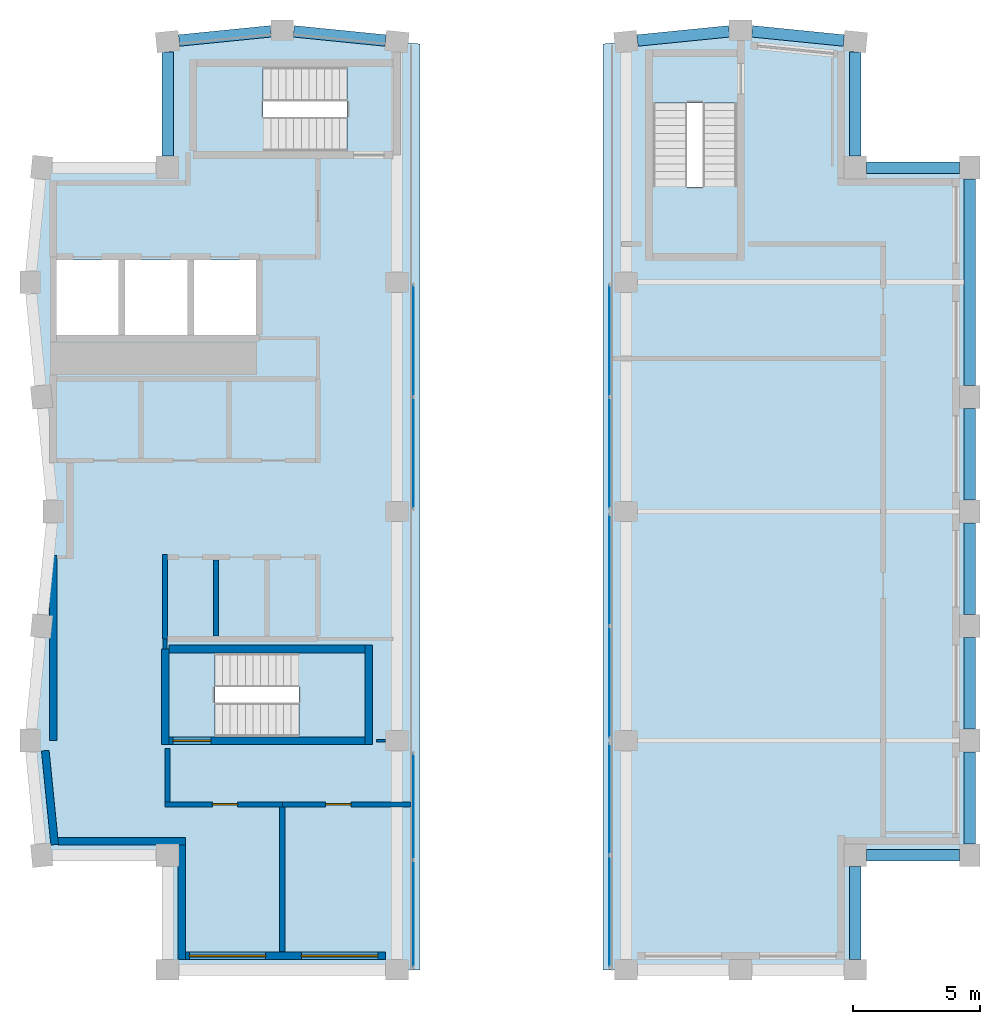
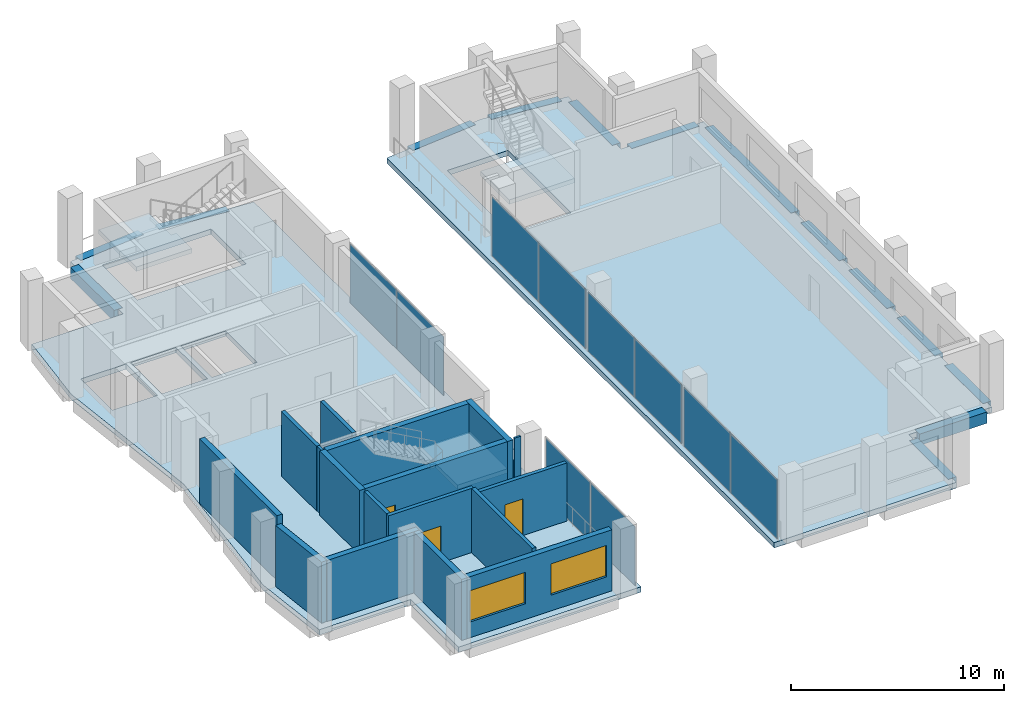
# One storey, part 6 of 9: 17 walls, 14 beams, 10 plates, 5 slabs, 3 doors, 2 windows, 5 openings, 8 elements without a shape of their own.
"""IFC4 building model written with IfcOpenShell, lengths in metres."""

from ifc_helpers import new_model, si_unit, direction, frame, frame_2d, origin, origin_2d, place, context, subcontext, project, spatial, polyline, rectangle, outline, extrude, material, layer, layer_set, material_profile, profile_set, type_object, element, fill, aggregate, save


model = new_model("IFC4")

# Units and contexts
model_context = context("Model", 3, precision=1e-05, world=origin(), true_north=direction((0.0, 1.0)))
body_context = subcontext(model_context, "Body", "Model", "MODEL_VIEW")
ifc_project = project(units=[si_unit("LENGTHUNIT", "METRE"), si_unit("AREAUNIT", "SQUARE_METRE"), si_unit("VOLUMEUNIT", "CUBIC_METRE"), si_unit("PLANEANGLEUNIT", "RADIAN"), si_unit("MASSUNIT", "GRAM", prefix="KILO")], contexts=[model_context])

# Site, building, storey
site_placement = place(None, origin())
site = spatial("IfcSite", under=ifc_project, at=site_placement, CompositionType="ELEMENT")
building_placement = place(site_placement, origin())
building = spatial("IfcBuilding", under=site, at=building_placement, Name="Brondeck Convention Tower", CompositionType="ELEMENT")
storey_placement = place(building_placement, frame((0.0, 0.0, 290.800048828125)))
storey = spatial("IfcBuildingStorey", under=building, at=storey_placement, Name="L72", CompositionType="ELEMENT", Elevation=290.800048828125)

# Beams
ifc_material_1 = material(Name="Concrete C50/60", Category="concrete")
ifc_material_profile = material_profile(ifc_material_1, rectangle(XDim=0.449951171875, YDim=0.64990234375, at=origin_2d()), Name="Precast spandrel 450x650 Concrete C50/60")
ifc_profile_set = profile_set([ifc_material_profile], Name="Concrete C50/60")
beam_type = type_object("IfcBeamType", Name="Precast spandrel 450x650 Concrete C50/60", PredefinedType="SPANDREL", material=ifc_profile_set)
for number, where, z_axis, x_axis, name in (
    (1, (13.05224609375, 63.494873046875, -0.324951171875), (-0.995040528141, 0.099470334057, 0.0), (-0.099470334057, -0.995040528141, 0.0), "STR-SP-L72K1-006"),
    (2, (8.550048828125, 63.85498046875, -0.324951171875), (-0.995040528141, -0.099470334057, 0.0), (0.099470334057, -0.995040528141, 0.0), "STR-SP-L72K1-007"),
):
    element("IfcBeam", number, at=place(storey_placement, frame(where, z_axis=z_axis, x_axis=x_axis)), inside=storey, type_object=beam_type, Name=name, PredefinedType="SPANDREL", context=body_context, shape_type="SweptSolid", body=[
        extrude(rectangle(XDim=0.449951171875, YDim=0.64990234375, at=origin_2d()), origin(), (0.0, 0.0, 1.0), 3.620361328125),
    ])
beam_1_placement = place(storey_placement, frame((4.5, 63.048095703125, -0.324951171875), z_axis=(0.0, -1.0, 0.0), x_axis=(1.0, 0.0, 0.0)))
element("IfcBeam", 3, at=beam_1_placement, inside=storey, type_object=beam_type, Name="STR-SP-L72K1-008", PredefinedType="SPANDREL", context=body_context, shape_type="SweptSolid", body=[
    extrude(rectangle(XDim=0.449951171875, YDim=0.64990234375, at=origin_2d()), origin(), (0.0, 0.0, 1.0), 4.09814453125),
])
for number, where, z_axis, x_axis, name in (
    (4, (31.5, 27.39990234375, -0.324951171875), (0.0, 1.0, 0.0), (-1.0, 0.0, 0.0), "STR-SP-L72K2-003"),
    (5, (31.949951171875, 31.5, -0.324951171875), (1.0, 0.0, 0.0), (0.0, 1.0, 0.0), "STR-SP-L72K2-004"),
):
    element("IfcBeam", number, at=place(storey_placement, frame(where, z_axis=z_axis, x_axis=x_axis)), inside=storey, type_object=beam_type, Name=name, PredefinedType="SPANDREL", context=body_context, shape_type="SweptSolid", body=[
        extrude(rectangle(XDim=0.449951171875, YDim=0.64990234375, at=origin_2d()), origin(), (0.0, 0.0, 1.0), 3.650146484375),
    ])
for number, where, z_axis, x_axis, name in (
    (6, (36.0, 31.949951171875, -0.324951171875), (0.0, 1.0, 0.0), (-1.0, 0.0, 0.0), "STR-SP-L72K2-005"),
    (7, (36.0, 36.449951171875, -0.324951171875), (0.0, 1.0, 0.0), (-1.0, 0.0, 0.0), "STR-SP-L72K2-006"),
    (8, (36.0, 40.949951171875, -0.324951171875), (0.0, 1.0, 0.0), (-1.0, 0.0, 0.0), "STR-SP-L72K2-007"),
    (9, (36.0, 45.449951171875, -0.324951171875), (0.0, 1.0, 0.0), (-1.0, 0.0, 0.0), "STR-SP-L72K2-008"),
):
    element("IfcBeam", number, at=place(storey_placement, frame(where, z_axis=z_axis, x_axis=x_axis)), inside=storey, type_object=beam_type, Name=name, PredefinedType="SPANDREL", context=body_context, shape_type="SweptSolid", body=[
        extrude(rectangle(XDim=0.449951171875, YDim=0.64990234375, at=origin_2d()), origin(), (0.0, 0.0, 1.0), 3.60009765625),
    ])
beam_2_placement = place(storey_placement, frame((36.0, 49.949951171875, -0.324951171875), z_axis=(0.0, 1.0, 0.0), x_axis=(-1.0, 0.0, 0.0)))
element("IfcBeam", 10, at=beam_2_placement, inside=storey, type_object=beam_type, Name="STR-SP-L72K2-009", PredefinedType="SPANDREL", context=body_context, shape_type="SweptSolid", body=[
    extrude(rectangle(XDim=0.449951171875, YDim=0.64990234375, at=origin_2d()), origin(), (0.0, 0.0, 1.0), 8.10009765625),
])
beam_3_placement = place(storey_placement, frame((35.60009765625, 58.5, -0.324951171875), z_axis=(-1.0, 0.0, 0.0), x_axis=(0.0, -1.0, 0.0)))
element("IfcBeam", 11, at=beam_3_placement, inside=storey, type_object=beam_type, Name="STR-SP-L72K2-010", PredefinedType="SPANDREL", context=body_context, shape_type="SweptSolid", body=[
    extrude(rectangle(XDim=0.449951171875, YDim=0.64990234375, at=origin_2d()), origin(), (0.0, 0.0, 1.0), 3.650146484375),
])
beam_4_placement = place(storey_placement, frame((31.5, 58.949951171875, -0.324951171875), z_axis=(0.0, 1.0, 0.0), x_axis=(-1.0, 0.0, 0.0)))
element("IfcBeam", 12, at=beam_4_placement, inside=storey, type_object=beam_type, Name="STR-SP-L72K2-011", PredefinedType="SPANDREL", context=body_context, shape_type="SweptSolid", body=[
    extrude(rectangle(XDim=0.449951171875, YDim=0.64990234375, at=origin_2d()), origin(), (0.0, 0.0, 1.0), 4.09814453125),
])
for number, where, z_axis, x_axis, name in (
    (13, (31.05224609375, 63.494873046875, -0.324951171875), (-0.995040528141, 0.099470334057, 0.0), (-0.099470334057, -0.995040528141, 0.0), "STR-SP-L72K2-012"),
    (14, (26.550048828125, 63.85498046875, -0.324951171875), (-0.995040528141, -0.099470334057, 0.0), (0.099470334057, -0.995040528141, 0.0), "STR-SP-L72K2-013"),
):
    element("IfcBeam", number, at=place(storey_placement, frame(where, z_axis=z_axis, x_axis=x_axis)), inside=storey, type_object=beam_type, Name=name, PredefinedType="SPANDREL", context=body_context, shape_type="SweptSolid", body=[
        extrude(rectangle(XDim=0.449951171875, YDim=0.64990234375, at=origin_2d()), origin(), (0.0, 0.0, 1.0), 3.620361328125),
    ])

# Curtain wall, plates
ifc_material_2 = material(Name="Aluminium, bronze anodised", Category="aluminium")
curtain_wall_type = type_object("IfcCurtainWallType", Name="Crown screen curtain wall", PredefinedType="NOTDEFINED", material=ifc_material_2)
curtain_wall_1_placement = place(storey_placement, origin())
curtain_wall_1 = element("IfcCurtainWall", 15, at=curtain_wall_1_placement, inside=storey, type_object=curtain_wall_type, Name="ENV-CW4-L72-K1-SLOT-W-00-2", PredefinedType="NOTDEFINED")
ifc_material_3 = material(Name="Bronze tinted laminated glass", Category="glass")
ifc_layer_1 = layer(ifc_material_3, 0.007080078125, Name="Outer pane")
ifc_material_4 = material(Name="Argon-filled cavity")
ifc_layer_2 = layer(ifc_material_4, 0.011962890625, Name="Cavity")
ifc_material_5 = material(Name="Clear low-emissivity glass", Category="glass")
ifc_layer_3 = layer(ifc_material_5, 0.007080078125, Name="Inner pane")
ifc_layer_set_1 = layer_set([ifc_layer_1, ifc_layer_2, ifc_layer_3], Name="CW4 glazing panel")
plate_type = type_object("IfcPlateType", Name="CW4 glazing panel", PredefinedType="CURTAIN_PANEL", material=ifc_layer_set_1)
plate_1_placement = place(storey_placement, frame((14.14990234375, 33.41259765625, 0.06005859375), z_axis=(0.0, 0.0, 1.0), x_axis=(0.0, -1.0, 0.0)))
plate_1 = element("IfcPlate", 16, at=plate_1_placement, type_object=plate_type, Name="CW4 panel 1.1", PredefinedType="CURTAIN_PANEL", context=body_context, shape_type="SweptSolid", body=[
    extrude(rectangle(XDim=4.155029296875, YDim=0.02587890625, at=origin_2d()), origin(), (0.0, 0.0, 1.0), 3.3798828125),
])
plate_2_placement = place(storey_placement, frame((14.14990234375, 29.197509765625, 0.06005859375), z_axis=(0.0, 0.0, 1.0), x_axis=(0.0, -1.0, 0.0)))
plate_2 = element("IfcPlate", 17, at=plate_2_placement, type_object=plate_type, Name="CW4 panel 2.1", PredefinedType="CURTAIN_PANEL", context=body_context, shape_type="SweptSolid", body=[
    extrude(rectangle(XDim=4.155029296875, YDim=0.02587890625, at=origin_2d()), origin(), (0.0, 0.0, 1.0), 3.3798828125),
])
aggregate(curtain_wall_1, [plate_1, plate_2])

curtain_wall_2_placement = place(storey_placement, origin())
curtain_wall_2 = element("IfcCurtainWall", 18, at=curtain_wall_2_placement, inside=storey, type_object=curtain_wall_type, Name="ENV-CW4-L72-K1-SLOT-W-05", PredefinedType="NOTDEFINED")
plate_3_placement = place(storey_placement, frame((14.14990234375, 51.705078125, 0.06005859375), z_axis=(0.0, 0.0, 1.0), x_axis=(0.0, -1.0, 0.0)))
plate_3 = element("IfcPlate", 19, at=plate_3_placement, type_object=plate_type, Name="CW4 panel 1.1", PredefinedType="CURTAIN_PANEL", context=body_context, shape_type="SweptSolid", body=[
    extrude(rectangle(XDim=4.35009765625, YDim=0.02587890625, at=origin_2d()), origin(), (0.0, 0.0, 1.0), 3.3798828125),
])
plate_4_placement = place(storey_placement, frame((14.14990234375, 47.294921875, 0.06005859375), z_axis=(0.0, 0.0, 1.0), x_axis=(0.0, -1.0, 0.0)))
plate_4 = element("IfcPlate", 20, at=plate_4_placement, type_object=plate_type, Name="CW4 panel 2.1", PredefinedType="CURTAIN_PANEL", context=body_context, shape_type="SweptSolid", body=[
    extrude(rectangle(XDim=4.35009765625, YDim=0.02587890625, at=origin_2d()), origin(), (0.0, 0.0, 1.0), 3.3798828125),
])
aggregate(curtain_wall_2, [plate_3, plate_4])

curtain_wall_3_placement = place(storey_placement, origin())
curtain_wall_3 = element("IfcCurtainWall", 21, at=curtain_wall_3_placement, inside=storey, type_object=curtain_wall_type, Name="ENV-CW4-L72-K2-SLOT-E-03", PredefinedType="NOTDEFINED")
plate_5_placement = place(storey_placement, frame((21.85009765625, 47.294921875, 0.06005859375), z_axis=(0.0, 0.0, 1.0), x_axis=(0.0, 1.0, 0.0)))
plate_5 = element("IfcPlate", 22, at=plate_5_placement, type_object=plate_type, Name="CW4 panel 1.1", PredefinedType="CURTAIN_PANEL", context=body_context, shape_type="SweptSolid", body=[
    extrude(rectangle(XDim=4.35009765625, YDim=0.02587890625, at=origin_2d()), origin(), (0.0, 0.0, 1.0), 3.3798828125),
])
plate_6_placement = place(storey_placement, frame((21.85009765625, 51.705078125, 0.06005859375), z_axis=(0.0, 0.0, 1.0), x_axis=(0.0, 1.0, 0.0)))
plate_6 = element("IfcPlate", 23, at=plate_6_placement, type_object=plate_type, Name="CW4 panel 2.1", PredefinedType="CURTAIN_PANEL", context=body_context, shape_type="SweptSolid", body=[
    extrude(rectangle(XDim=4.35009765625, YDim=0.02587890625, at=origin_2d()), origin(), (0.0, 0.0, 1.0), 3.3798828125),
])
aggregate(curtain_wall_3, [plate_5, plate_6])

curtain_wall_4_placement = place(storey_placement, origin())
curtain_wall_4 = element("IfcCurtainWall", 24, at=curtain_wall_4_placement, inside=storey, type_object=curtain_wall_type, Name="ENV-CW4-L72-K2-SLOT-E-05", PredefinedType="NOTDEFINED")
plate_7_placement = place(storey_placement, frame((21.85009765625, 38.294921875, 0.06005859375), z_axis=(0.0, 0.0, 1.0), x_axis=(0.0, 1.0, 0.0)))
plate_7 = element("IfcPlate", 25, at=plate_7_placement, type_object=plate_type, Name="CW4 panel 1.1", PredefinedType="CURTAIN_PANEL", context=body_context, shape_type="SweptSolid", body=[
    extrude(rectangle(XDim=4.35009765625, YDim=0.02587890625, at=origin_2d()), origin(), (0.0, 0.0, 1.0), 3.3798828125),
])
plate_8_placement = place(storey_placement, frame((21.85009765625, 42.705078125, 0.06005859375), z_axis=(0.0, 0.0, 1.0), x_axis=(0.0, 1.0, 0.0)))
plate_8 = element("IfcPlate", 26, at=plate_8_placement, type_object=plate_type, Name="CW4 panel 2.1", PredefinedType="CURTAIN_PANEL", context=body_context, shape_type="SweptSolid", body=[
    extrude(rectangle(XDim=4.35009765625, YDim=0.02587890625, at=origin_2d()), origin(), (0.0, 0.0, 1.0), 3.3798828125),
])
aggregate(curtain_wall_4, [plate_7, plate_8])

curtain_wall_5_placement = place(storey_placement, origin())
curtain_wall_5 = element("IfcCurtainWall", 27, at=curtain_wall_5_placement, inside=storey, type_object=curtain_wall_type, Name="ENV-CW4-L72-K2-SLOT-E-07-1", PredefinedType="NOTDEFINED")
plate_9_placement = place(storey_placement, frame((21.85009765625, 29.294921875, 0.06005859375), z_axis=(0.0, 0.0, 1.0), x_axis=(0.0, 1.0, 0.0)))
plate_9 = element("IfcPlate", 28, at=plate_9_placement, type_object=plate_type, Name="CW4 panel 1.1", PredefinedType="CURTAIN_PANEL", context=body_context, shape_type="SweptSolid", body=[
    extrude(rectangle(XDim=4.35009765625, YDim=0.02587890625, at=origin_2d()), origin(), (0.0, 0.0, 1.0), 3.3798828125),
])
plate_10_placement = place(storey_placement, frame((21.85009765625, 33.705078125, 0.06005859375), z_axis=(0.0, 0.0, 1.0), x_axis=(0.0, 1.0, 0.0)))
plate_10 = element("IfcPlate", 29, at=plate_10_placement, type_object=plate_type, Name="CW4 panel 2.1", PredefinedType="CURTAIN_PANEL", context=body_context, shape_type="SweptSolid", body=[
    extrude(rectangle(XDim=4.35009765625, YDim=0.02587890625, at=origin_2d()), origin(), (0.0, 0.0, 1.0), 3.3798828125),
])
aggregate(curtain_wall_5, [plate_9, plate_10])

# Slabs
ifc_material_6 = material(Name="Concrete C35/45", Category="concrete")
ifc_layer_4 = layer(ifc_material_6, 0.300048828125)
ifc_layer_set_2 = layer_set([ifc_layer_4], Name="Composite floor slab 300")
slab_type_1 = type_object("IfcSlabType", Name="Composite floor slab 300", PredefinedType="FLOOR", material=ifc_layer_set_2)
slab_1_placement = place(storey_placement, frame((0.0, 0.0, -0.300048828125)))
element("IfcSlab", 30, at=slab_1_placement, inside=storey, type_object=slab_type_1, Name="STR-SL-L72-P1", PredefinedType="FLOOR", context=body_context, shape_type="SweptSolid", body=[
    extrude(outline(polyline([(4.5, 31.5), (-0.449951171875, 31.5), (-0.89990234375, 36.0), (0.0, 45.0), (-0.89990234375, 54.0), (-0.449951171875, 58.5), (4.5, 58.5), (4.5, 63.449951171875), (9.0, 63.89990234375), (14.39990234375, 63.360107421875), (14.39990234375, 63.0), (14.39990234375, 27.0), (4.5, 27.0), (4.5, 31.5)]), holes=[polyline([(6.35205078125, 39.447998046875), (6.35205078125, 36.152099609375), (12.248046875, 36.152099609375), (12.248046875, 39.447998046875), (6.35205078125, 39.447998046875)]), polyline([(2.574951171875, 54.875), (0.125, 54.875), (0.125, 51.925048828125), (2.574951171875, 51.925048828125), (2.574951171875, 54.875)]), polyline([(5.27490234375, 54.875), (2.824951171875, 54.875), (2.824951171875, 51.925048828125), (5.27490234375, 51.925048828125), (5.27490234375, 54.875)]), polyline([(5.52490234375, 54.875), (5.52490234375, 51.925048828125), (7.97509765625, 51.925048828125), (7.97509765625, 54.875), (5.52490234375, 54.875)]), polyline([(5.652099609375, 59.152099609375), (11.548095703125, 59.152099609375), (11.548095703125, 62.447998046875), (5.652099609375, 62.447998046875), (5.652099609375, 59.152099609375)])]), origin(), (0.0, 0.0, 1.0), 0.300048828125),
])
slab_2_placement = place(storey_placement, frame((0.0, 0.0, -0.300048828125)))
element("IfcSlab", 31, at=slab_2_placement, inside=storey, type_object=slab_type_1, Name="STR-SL-L72-P2", PredefinedType="FLOOR", context=body_context, shape_type="SweptSolid", body=[
    extrude(outline(polyline([(21.60009765625, 63.0), (21.60009765625, 63.360107421875), (27.0, 63.89990234375), (31.5, 63.449951171875), (31.5, 58.5), (36.0, 58.5), (36.0, 31.5), (31.5, 31.5), (31.5, 27.0), (21.60009765625, 27.0), (21.60009765625, 63.0)]), holes=[polyline([(26.847900390625, 55.152099609375), (26.847900390625, 61.048095703125), (23.552001953125, 61.048095703125), (23.552001953125, 55.152099609375), (26.847900390625, 55.152099609375)])]), origin(), (0.0, 0.0, 1.0), 0.300048828125),
])

# Stair, slab
ifc_material_7 = material(Name="Precast concrete C50/60", Category="concrete")
stair_type = type_object("IfcStairType", Name="Core stair 24 risers 166.67 mm riser 300 mm going 1350 wide", PredefinedType="HALF_TURN_STAIR", material=ifc_material_7)
stair_1_placement = place(storey_placement, origin())
stair_1 = element("IfcStair", 32, at=stair_1_placement, inside=storey, type_object=stair_type, Name="ST-1 L72 stair", PredefinedType="HALF_TURN_STAIR")
ifc_layer_5 = layer(ifc_material_7, 0.25)
ifc_layer_set_3 = layer_set([ifc_layer_5], Name="Core stair landing 250 Precast concrete C50/60")
slab_type_2 = type_object("IfcSlabType", Name="Core stair landing 250 Precast concrete C50/60", PredefinedType="LANDING", material=ifc_layer_set_3)
slab_3_placement = place(storey_placement, frame((0.0, 0.0, 1.75)))
slab_3 = element("IfcSlab", 33, at=slab_3_placement, type_object=slab_type_2, Name="ST-1 landing 1", PredefinedType="LANDING", context=body_context, shape_type="SweptSolid", body=[
    extrude(outline(polyline([(9.64794921875, 37.5), (9.64990234375, 37.5), (9.64990234375, 38.10009765625), (9.35009765625, 38.10009765625), (9.35009765625, 39.570068359375), (12.3701171875, 39.570068359375), (12.3701171875, 36.030029296875), (9.64794921875, 36.030029296875), (9.64794921875, 37.5)])), origin(), (0.0, 0.0, 1.0), 0.25),
])
aggregate(stair_1, [slab_3])

stair_2_placement = place(storey_placement, origin())
stair_2 = element("IfcStair", 34, at=stair_2_placement, inside=storey, type_object=stair_type, Name="ST-2 L72 stair", PredefinedType="HALF_TURN_STAIR")
slab_4_placement = place(storey_placement, frame((0.0, 0.0, 1.75)))
slab_4 = element("IfcSlab", 35, at=slab_4_placement, type_object=slab_type_2, Name="ST-2 landing 1", PredefinedType="LANDING", context=body_context, shape_type="SweptSolid", body=[
    extrude(outline(polyline([(23.429931640625, 57.751953125), (24.89990234375, 57.751953125), (24.89990234375, 57.75), (25.5, 57.75), (25.5, 58.050048828125), (26.969970703125, 58.050048828125), (26.969970703125, 55.030029296875), (23.429931640625, 55.030029296875), (23.429931640625, 57.751953125)])), origin(), (0.0, 0.0, 1.0), 0.25),
])
aggregate(stair_2, [slab_4])

stair_3_placement = place(storey_placement, origin())
stair_3 = element("IfcStair", 36, at=stair_3_placement, inside=storey, type_object=stair_type, Name="ST-3 L72 stair", PredefinedType="HALF_TURN_STAIR")
slab_5_placement = place(storey_placement, frame((0.0, 0.0, 1.75)))
slab_5 = element("IfcSlab", 37, at=slab_5_placement, type_object=slab_type_2, Name="ST-3 landing 1", PredefinedType="LANDING", context=body_context, shape_type="SweptSolid", body=[
    extrude(outline(polyline([(8.550048828125, 60.5), (8.550048828125, 59.030029296875), (5.530029296875, 59.030029296875), (5.530029296875, 62.570068359375), (8.251953125, 62.570068359375), (8.251953125, 61.10009765625), (8.25, 61.10009765625), (8.25, 60.5), (8.550048828125, 60.5)])), origin(), (0.0, 0.0, 1.0), 0.25),
])
aggregate(stair_3, [slab_5])

# Walls
ifc_layer_6 = layer(ifc_material_1, 0.300048828125)
ifc_layer_set_4 = layer_set([ifc_layer_6], Name="Core outer wall 300 Concrete C50/60")
wall_type_1 = type_object("IfcWallType", Name="Core outer wall 300 Concrete C50/60", PredefinedType="SHEAR", material=ifc_layer_set_4)
wall_1_placement = place(storey_placement, frame((0.0, 36.0, 0.0), z_axis=(0.0, 0.0, 1.0), x_axis=(0.0, 1.0, 0.0)))
element("IfcWall", 38, at=wall_1_placement, inside=storey, type_object=wall_type_1, Name="L72 core wall", PredefinedType="SHEAR", context=body_context, shape_type="SweptSolid", body=[
    extrude(rectangle(XDim=7.27490234375, YDim=0.300048828125, at=frame_2d((3.637451171875, 0.0))), origin(), (0.0, 0.0, 1.0), 3.699951171875),
])
ifc_material_8 = material(Name="Fire-rated gypsum board partition")
ifc_layer_7 = layer(ifc_material_8, 0.14990234375)
ifc_layer_set_5 = layer_set([ifc_layer_7], Name="Core partition 150 EI 60")
wall_type_2 = type_object("IfcWallType", Name="Core partition 150 EI 60", PredefinedType="PARTITIONING", material=ifc_layer_set_5)
wall_2_placement = place(storey_placement, frame((4.39990234375, 39.60009765625, 0.0), z_axis=(0.0, 0.0, 1.0), x_axis=(0.0, 1.0, 0.0)))
element("IfcWall", 39, at=wall_2_placement, inside=storey, type_object=wall_type_2, Name="L72 core wall", PredefinedType="PARTITIONING", context=body_context, shape_type="SweptSolid", body=[
    extrude(rectangle(XDim=0.39990234375, YDim=0.14990234375, at=frame_2d((0.199951171875, 0.0))), origin(), (0.0, 0.0, 1.0), 3.699951171875),
])

# Wall, openings, windows
ifc_material_9 = material(Name="Precast concrete C50/60 bronze finish", Category="concrete")
ifc_layer_8 = layer(ifc_material_9, 0.070068359375, Name="Bronze precast facing")
ifc_material_10 = material(Name="Mineral wool")
ifc_layer_9 = layer(ifc_material_10, 0.159912109375, Name="Insulation")
ifc_layer_10 = layer(ifc_material_6, 0.070068359375, Name="Backing")
ifc_layer_set_6 = layer_set([ifc_layer_8, ifc_layer_9, ifc_layer_10], Name="External infill wall, precast concrete C50/60 bronze facing")
wall_type_3 = type_object("IfcWallType", Name="External infill wall, precast concrete C50/60 bronze facing", PredefinedType="SOLIDWALL", material=ifc_layer_set_6)
wall_3_placement = place(storey_placement, frame((13.050048828125, 27.550048828125, 0.0), z_axis=(0.0, 0.0, 1.0), x_axis=(-1.0, 0.0, 0.0)))
wall_3 = element("IfcWall", 40, at=wall_3_placement, inside=storey, type_object=wall_type_3, Name="ENV-EW-L72-K1-K-S-01", PredefinedType="SOLIDWALL", context=body_context, shape_type="SweptSolid", body=[
    extrude(rectangle(XDim=7.85009765625, YDim=0.300048828125, at=frame_2d((3.925048828125, 0.0))), origin(), (0.0, 0.0, 1.0), 3.5),
])
opening_1_placement = place(wall_3_placement, frame((0.300048828125, 0.0, 0.89990234375)))
opening_1 = element("IfcOpeningElement", 41, at=opening_1_placement, cuts=wall_3, Name="Opening W8", PredefinedType="OPENING", context=body_context, shape_type="SweptSolid", body=[
    extrude(rectangle(XDim=3.0, YDim=1.800048828125, at=frame_2d((1.5, 0.89990234375))), frame((0.0, 0.159912109375, 0.0), z_axis=(0.0, -1.0, 0.0), x_axis=(1.0, 0.0, 0.0)), (0.0, 0.0, 1.0), 0.320068359375),
])
opening_2_placement = place(wall_3_placement, frame((4.699951171875, 0.0, 0.89990234375)))
opening_2 = element("IfcOpeningElement", 42, at=opening_2_placement, cuts=wall_3, Name="Opening W8", PredefinedType="OPENING", context=body_context, shape_type="SweptSolid", body=[
    extrude(rectangle(XDim=3.0, YDim=1.800048828125, at=frame_2d((1.5, 0.89990234375))), frame((0.0, 0.159912109375, 0.0), z_axis=(0.0, -1.0, 0.0), x_axis=(1.0, 0.0, 0.0)), (0.0, 0.0, 1.0), 0.320068359375),
])
ifc_material_11 = material(Name="Bronze tinted double glazing", Category="glass")
window_type = type_object("IfcWindowType", Name="Crown plant storey window, bronze tinted", PartitioningType="SINGLE_PANEL", PredefinedType="WINDOW", material=ifc_material_11)
window_1_placement = place(opening_1_placement, origin())
window_1 = element("IfcWindow", 43, at=window_1_placement, inside=storey, type_object=window_type, Name="ENV-WN-L72-K1-K-S-02", OverallHeight=1.800048828125, OverallWidth=3.0, PartitioningType="SINGLE_PANEL", PredefinedType="WINDOW", context=body_context, shape_type="SweptSolid", body=[
    extrude(rectangle(XDim=3.0, YDim=1.800048828125, at=frame_2d((1.5, 0.89990234375))), frame((0.0, 0.030029296875, 0.0), z_axis=(0.0, -1.0, 0.0), x_axis=(1.0, 0.0, 0.0)), (0.0, 0.0, 1.0), 0.06005859375),
])
fill(opening_1, window_1)
window_2_placement = place(opening_2_placement, origin())
window_2 = element("IfcWindow", 44, at=window_2_placement, inside=storey, type_object=window_type, Name="ENV-WN-L72-K1-K-S-01", OverallHeight=1.800048828125, OverallWidth=3.0, PartitioningType="SINGLE_PANEL", PredefinedType="WINDOW", context=body_context, shape_type="SweptSolid", body=[
    extrude(rectangle(XDim=3.0, YDim=1.800048828125, at=frame_2d((1.5, 0.89990234375))), frame((0.0, 0.030029296875, 0.0), z_axis=(0.0, -1.0, 0.0), x_axis=(1.0, 0.0, 0.0)), (0.0, 0.0, 1.0), 0.06005859375),
])
fill(opening_2, window_2)

# Walls
wall_4_placement = place(storey_placement, frame((0.061279296875, 31.914794921875, 0.0), z_axis=(0.0, 0.0, 1.0), x_axis=(-0.099549320092, 0.995032629048, 0.0)))
element("IfcWall", 45, at=wall_4_placement, inside=storey, type_object=wall_type_3, Name="ENV-EW-L72-K1-B-W-06", PredefinedType="SOLIDWALL", context=body_context, shape_type="SweptSolid", body=[
    extrude(rectangle(XDim=3.71044921875, YDim=0.300048828125, at=frame_2d((1.855224609375, 0.0))), origin(), (0.0, 0.0, 1.0), 3.5),
])
wall_5_placement = place(storey_placement, frame((5.199951171875, 32.050048828125, 0.0), z_axis=(0.0, 0.0, 1.0), x_axis=(-1.0, 0.0, 0.0)))
element("IfcWall", 46, at=wall_5_placement, inside=storey, type_object=wall_type_3, Name="ENV-EW-L72-K1-NC-KSW-01", PredefinedType="SOLIDWALL", context=body_context, shape_type="SweptSolid", body=[
    extrude(rectangle(XDim=5.000244140625, YDim=0.300048828125, at=frame_2d((2.5, 0.0))), origin(), (0.0, 0.0, 1.0), 3.5),
])
wall_6_placement = place(storey_placement, frame((5.050048828125, 27.39990234375, 0.0), z_axis=(0.0, 0.0, 1.0), x_axis=(0.0, 1.0, 0.0)))
element("IfcWall", 47, at=wall_6_placement, inside=storey, type_object=wall_type_3, Name="ENV-EW-L72-K1-NC-KSW-02", PredefinedType="SOLIDWALL", context=body_context, shape_type="SweptSolid", body=[
    extrude(rectangle(XDim=4.502197265625, YDim=0.300048828125, at=frame_2d((2.2509765625, 0.0))), origin(), (0.0, 0.0, 1.0), 3.5),
])
ifc_material_12 = material(Name="Concrete block wall C16/20", Category="concrete")
ifc_layer_11 = layer(ifc_material_12, 0.199951171875)
ifc_layer_set_7 = layer_set([ifc_layer_11], Name="Plant room wall 200")
wall_type_4 = type_object("IfcWallType", Name="Plant room wall 200", PredefinedType="PARTITIONING", material=ifc_layer_set_7)
wall_7_placement = place(storey_placement, frame((9.0, 33.39990234375, 0.0), z_axis=(0.0, 0.0, 1.0), x_axis=(0.0, -1.0, 0.0)))
element("IfcWall", 48, at=wall_7_placement, inside=storey, type_object=wall_type_4, Name="FLR-L72-W003", PredefinedType="PARTITIONING", context=body_context, shape_type="SweptSolid", body=[
    extrude(rectangle(XDim=5.679931640625, YDim=0.199951171875, at=frame_2d((2.83984375, 0.0))), origin(), (0.0, 0.0, 1.0), 3.679931640625),
])

# Wall, opening, door
wall_8_placement = place(storey_placement, frame((9.0, 33.5, 0.0), z_axis=(0.0, 0.0, 1.0), x_axis=(-1.0, 0.0, 0.0)))
wall_8 = element("IfcWall", 49, at=wall_8_placement, inside=storey, type_object=wall_type_4, Name="FLR-L72-W004", PredefinedType="PARTITIONING", context=body_context, shape_type="SweptSolid", body=[
    extrude(rectangle(XDim=4.60009765625, YDim=0.199951171875, at=frame_2d((2.300048828125, 0.0))), origin(), (0.0, 0.0, 1.0), 3.679931640625),
])
opening_3_placement = place(wall_8_placement, frame((1.75, 0.0, 0.0)))
opening_3 = element("IfcOpeningElement", 50, at=opening_3_placement, cuts=wall_8, Name="Opening CR-B-001", PredefinedType="OPENING", context=body_context, shape_type="SweptSolid", body=[
    extrude(rectangle(XDim=1.0, YDim=2.10009765625, at=frame_2d((0.5, 1.050048828125))), frame((0.0, 0.10986328125, 0.0), z_axis=(0.0, -1.0, 0.0), x_axis=(1.0, 0.0, 0.0)), (0.0, 0.0, 1.0), 0.219970703125),
])
ifc_material_13 = material(Name="Steel fire door leaf", Category="steel")
door_type_1 = type_object("IfcDoorType", Name="Plant room door 1000", OperationType="NOTDEFINED", PredefinedType="DOOR", material=ifc_material_13)
door_1_placement = place(opening_3_placement, origin())
door_1 = element("IfcDoor", 51, at=door_1_placement, inside=storey, type_object=door_type_1, Name="Door CR-B-001", OperationType="SINGLE_SWING_RIGHT", OverallHeight=2.10009765625, OverallWidth=1.0, PredefinedType="DOOR", context=body_context, shape_type="SweptSolid", body=[
    extrude(rectangle(XDim=1.0, YDim=2.10009765625, at=frame_2d((0.5, 1.050048828125))), frame((0.0, 0.02490234375, 0.0), z_axis=(0.0, -1.0, 0.0), x_axis=(1.0, 0.0, 0.0)), (0.0, 0.0, 1.0), 0.050048828125),
])
fill(opening_3, door_1)

wall_9_placement = place(storey_placement, frame((14.06005859375, 33.5, 0.0), z_axis=(0.0, 0.0, 1.0), x_axis=(-1.0, 0.0, 0.0)))
wall_9 = element("IfcWall", 52, at=wall_9_placement, inside=storey, type_object=wall_type_4, Name="FLR-L72-W005", PredefinedType="PARTITIONING", context=body_context, shape_type="SweptSolid", body=[
    extrude(rectangle(XDim=5.06005859375, YDim=0.199951171875, at=frame_2d((2.530029296875, 0.0))), origin(), (0.0, 0.0, 1.0), 3.329833984375),
])
opening_4_placement = place(wall_9_placement, frame((2.360107421875, 0.0, 0.0)))
opening_4 = element("IfcOpeningElement", 53, at=opening_4_placement, cuts=wall_9, Name="Opening CR-B-002", PredefinedType="OPENING", context=body_context, shape_type="SweptSolid", body=[
    extrude(rectangle(XDim=1.0, YDim=2.10009765625, at=frame_2d((0.5, 1.050048828125))), frame((0.0, 0.10986328125, 0.0), z_axis=(0.0, -1.0, 0.0), x_axis=(1.0, 0.0, 0.0)), (0.0, 0.0, 1.0), 0.219970703125),
])
door_2_placement = place(opening_4_placement, origin())
door_2 = element("IfcDoor", 54, at=door_2_placement, inside=storey, type_object=door_type_1, Name="Door CR-B-002", OperationType="SINGLE_SWING_LEFT", OverallHeight=2.10009765625, OverallWidth=1.0, PredefinedType="DOOR", context=body_context, shape_type="SweptSolid", body=[
    extrude(rectangle(XDim=1.0, YDim=2.10009765625, at=frame_2d((0.5, 1.050048828125))), frame((0.0, 0.02490234375, 0.0), z_axis=(0.0, -1.0, 0.0), x_axis=(1.0, 0.0, 0.0)), (0.0, 0.0, 1.0), 0.050048828125),
])
fill(opening_4, door_2)

# Walls
wall_10_placement = place(storey_placement, frame((4.5, 33.60009765625, 0.0), z_axis=(0.0, 0.0, 1.0), x_axis=(0.0, 1.0, 0.0)))
element("IfcWall", 55, at=wall_10_placement, inside=storey, type_object=wall_type_4, Name="FLR-L72-W006", PredefinedType="PARTITIONING", context=body_context, shape_type="SweptSolid", body=[
    extrude(rectangle(XDim=2.099853515625, YDim=0.199951171875, at=frame_2d((1.0498046875, 0.0))), origin(), (0.0, 0.0, 1.0), 3.679931640625),
])
ifc_layer_12 = layer(ifc_material_8, 0.199951171875)
ifc_layer_set_8 = layer_set([ifc_layer_12], Name="Plant room wall 200 EI 120")
wall_type_5 = type_object("IfcWallType", Name="Plant room wall 200 EI 120", PredefinedType="PARTITIONING", material=ifc_layer_set_8)
wall_11_placement = place(storey_placement, frame((4.39990234375, 40.0, 0.0), z_axis=(0.0, 0.0, 1.0), x_axis=(0.0, 1.0, 0.0)))
element("IfcWall", 56, at=wall_11_placement, inside=storey, type_object=wall_type_5, Name="L72 core wall", PredefinedType="PARTITIONING", context=body_context, shape_type="SweptSolid", body=[
    extrude(rectangle(XDim=3.300048828125, YDim=0.199951171875, at=frame_2d((1.64990234375, 0.0))), origin(), (0.0, 0.0, 1.0), 3.699951171875),
])
wall_12_placement = place(storey_placement, frame((6.39990234375, 40.10009765625, 0.0), z_axis=(0.0, 0.0, 1.0), x_axis=(0.0, 1.0, 0.0)))
element("IfcWall", 57, at=wall_12_placement, inside=storey, type_object=wall_type_5, Name="L72 core wall", PredefinedType="PARTITIONING", context=body_context, shape_type="SweptSolid", body=[
    extrude(rectangle(XDim=3.0, YDim=0.199951171875, at=frame_2d((1.5, 0.0))), origin(), (0.0, 0.0, 1.0), 3.699951171875),
])
ifc_material_14 = material(Name="Gypsum board partition on steel studs", Category="steel")
ifc_layer_13 = layer(ifc_material_14, 0.10009765625)
ifc_layer_set_9 = layer_set([ifc_layer_13], Name="Room partition 100")
wall_type_6 = type_object("IfcWallType", Name="Room partition 100", PredefinedType="PARTITIONING", material=ifc_layer_set_9)
wall_13_placement = place(storey_placement, frame((12.699951171875, 36.0, 0.0), z_axis=(0.0, 0.0, 1.0), x_axis=(1.0, 0.0, 0.0)))
element("IfcWall", 58, at=wall_13_placement, inside=storey, type_object=wall_type_6, Name="FLR-L72-W007", PredefinedType="PARTITIONING", context=body_context, shape_type="SweptSolid", body=[
    extrude(rectangle(XDim=0.344970703125, YDim=0.10009765625, at=frame_2d((0.17236328125, 0.0))), origin(), (0.0, 0.0, 1.0), 3.679931640625),
])

# Wall, opening, door
ifc_layer_14 = layer(ifc_material_1, 0.300048828125)
ifc_layer_set_10 = layer_set([ifc_layer_14], Name="Stair enclosure wall 300 Concrete C50/60")
wall_type_7 = type_object("IfcWallType", Name="Stair enclosure wall 300 Concrete C50/60", PredefinedType="SHEAR", material=ifc_layer_set_10)
wall_14_placement = place(storey_placement, frame((4.550048828125, 36.0, 0.0), z_axis=(0.0, 0.0, 1.0), x_axis=(1.0, 0.0, 0.0)))
wall_14 = element("IfcWall", 59, at=wall_14_placement, inside=storey, type_object=wall_type_7, Name="L72 core wall", PredefinedType="SHEAR", context=body_context, shape_type="SweptSolid", body=[
    extrude(rectangle(XDim=7.699951171875, YDim=0.300048828125, at=frame_2d((3.85009765625, 0.0))), origin(), (0.0, 0.0, 1.0), 3.699951171875),
])
opening_5_placement = place(wall_14_placement, frame((0.14990234375, 0.0, 0.0)))
opening_5 = element("IfcOpeningElement", 60, at=opening_5_placement, cuts=wall_14, Name="Opening C42-08", PredefinedType="OPENING", context=body_context, shape_type="SweptSolid", body=[
    extrude(rectangle(XDim=1.5, YDim=2.199951171875, at=frame_2d((0.75, 1.10009765625))), frame((0.0, 0.159912109375, 0.0), z_axis=(0.0, -1.0, 0.0), x_axis=(1.0, 0.0, 0.0)), (0.0, 0.0, 1.0), 0.320068359375),
])
ifc_material_15 = material(Name="Steel fire door", Category="steel")
door_type_2 = type_object("IfcDoorType", Name="Stair door 1500x2200 EI 90", OperationType="NOTDEFINED", PredefinedType="DOOR", material=ifc_material_15)
door_3_placement = place(opening_5_placement, origin())
door_3 = element("IfcDoor", 61, at=door_3_placement, inside=storey, type_object=door_type_2, Name="L72 Stair door ST-1", OperationType="SINGLE_SWING_RIGHT", OverallHeight=2.199951171875, OverallWidth=1.5, PredefinedType="DOOR", context=body_context, shape_type="SweptSolid", body=[
    extrude(rectangle(XDim=1.5, YDim=2.199951171875, at=frame_2d((0.75, 1.10009765625))), frame((0.0, 0.02490234375, 0.0), z_axis=(0.0, -1.0, 0.0), x_axis=(1.0, 0.0, 0.0)), (0.0, 0.0, 1.0), 0.050048828125),
])
fill(opening_5, door_3)

# Walls
wall_15_placement = place(storey_placement, frame((4.550048828125, 39.60009765625, 0.0), z_axis=(0.0, 0.0, 1.0), x_axis=(1.0, 0.0, 0.0)))
element("IfcWall", 62, at=wall_15_placement, inside=storey, type_object=wall_type_7, Name="L72 core wall", PredefinedType="SHEAR", context=body_context, shape_type="SweptSolid", body=[
    extrude(rectangle(XDim=7.699951171875, YDim=0.300048828125, at=frame_2d((3.85009765625, 0.0))), origin(), (0.0, 0.0, 1.0), 3.699951171875),
])
wall_16_placement = place(storey_placement, frame((4.39990234375, 35.85009765625, 0.0), z_axis=(0.0, 0.0, 1.0), x_axis=(0.0, 1.0, 0.0)))
element("IfcWall", 63, at=wall_16_placement, inside=storey, type_object=wall_type_7, Name="L72 core wall", PredefinedType="SHEAR", context=body_context, shape_type="SweptSolid", body=[
    extrude(rectangle(XDim=3.75, YDim=0.300048828125, at=frame_2d((1.875, 0.0))), origin(), (0.0, 0.0, 1.0), 3.699951171875),
])
wall_17_placement = place(storey_placement, frame((12.39990234375, 35.85009765625, 0.0), z_axis=(0.0, 0.0, 1.0), x_axis=(0.0, 1.0, 0.0)))
element("IfcWall", 64, at=wall_17_placement, inside=storey, type_object=wall_type_7, Name="L72 core wall", PredefinedType="SHEAR", context=body_context, shape_type="SweptSolid", body=[
    extrude(rectangle(XDim=3.89990234375, YDim=0.300048828125, at=frame_2d((1.949951171875, 0.0))), origin(), (0.0, 0.0, 1.0), 3.699951171875),
])

save(model, "model.ifc")
